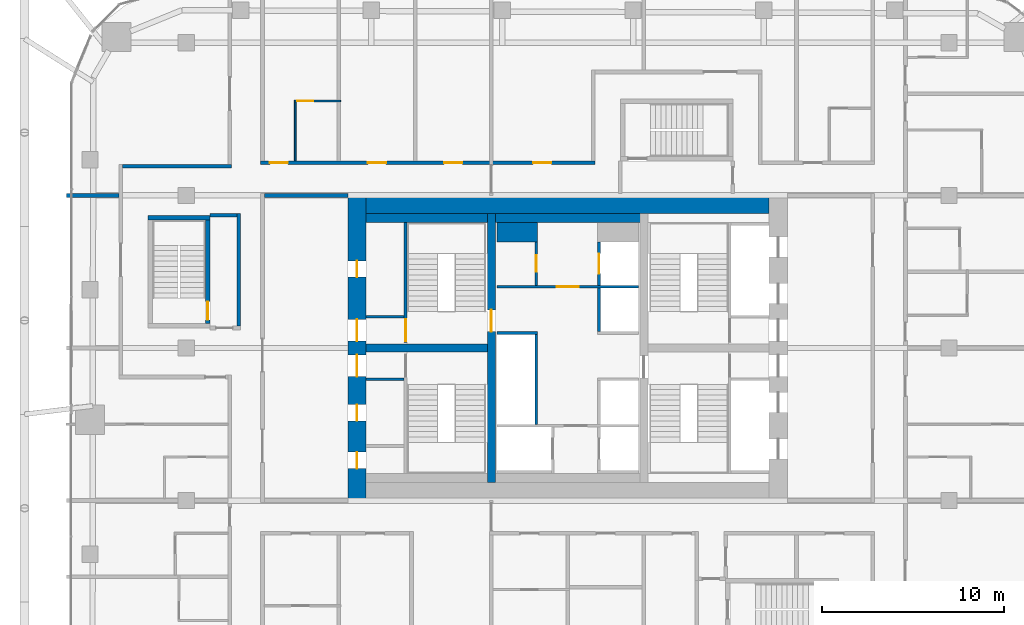
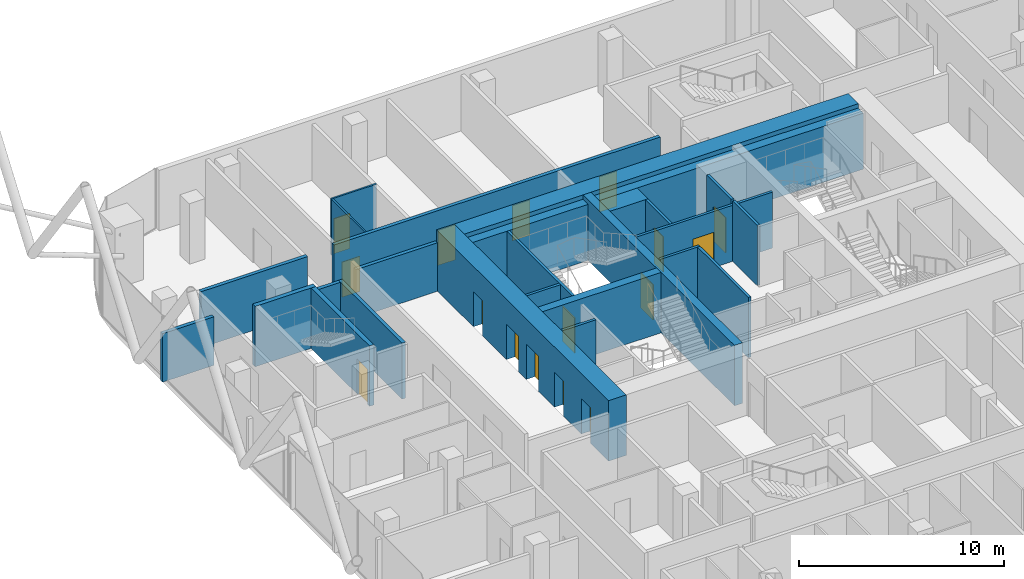
# One storey, part 31 of 36: 25 walls, 16 doors, 16 openings.
"""IFC4 building model written with IfcOpenShell, lengths in metres."""

from ifc_helpers import new_model, si_unit, direction, frame, frame_2d, origin, place, context, subcontext, project, spatial, rectangle, extrude, material, layer, layer_set, type_object, element, fill, save


model = new_model("IFC4")

# Units and contexts
model_context = context("Model", 3, precision=1e-05, world=origin(), true_north=direction((0.0, 1.0)))
body_context = subcontext(model_context, "Body", "Model", "MODEL_VIEW")
ifc_project = project(units=[si_unit("LENGTHUNIT", "METRE"), si_unit("AREAUNIT", "SQUARE_METRE"), si_unit("VOLUMEUNIT", "CUBIC_METRE"), si_unit("PLANEANGLEUNIT", "RADIAN"), si_unit("MASSUNIT", "GRAM", prefix="KILO")], contexts=[model_context])

# Site, building, storey
site_placement = place(None, origin())
site = spatial("IfcSite", under=ifc_project, at=site_placement, CompositionType="ELEMENT")
building_placement = place(site_placement, origin())
building = spatial("IfcBuilding", under=site, at=building_placement, Name="Marenta Gate Hotel Tower", CompositionType="ELEMENT")
storey_placement = place(building_placement, frame((0.0, 0.0, 158.89990234375)))
storey = spatial("IfcBuildingStorey", under=building, at=storey_placement, Name="L37", CompositionType="ELEMENT", Elevation=158.89990234375)

# Walls
ifc_material_1 = material(Name="Concrete blockwork", Category="masonry")
ifc_layer_1 = layer(ifc_material_1, 0.199951171875)
ifc_layer_set_1 = layer_set([ifc_layer_1], Name="Concrete blockwork")
wall_type_1 = type_object("IfcWallType", Name="Core boundary wall 200 REI 180", PredefinedType="PARTITIONING", material=ifc_layer_set_1)
wall_1_placement = place(storey_placement, frame((-16.699951171875, 16.800048828125, 0.0), z_axis=(0.0, 0.0, 1.0), x_axis=(1.0, 0.0, 0.0)))
element("IfcWall", 1, at=wall_1_placement, inside=storey, type_object=wall_type_1, Name="L37-CP-EW-WN", PredefinedType="PARTITIONING", context=body_context, shape_type="SweptSolid", body=[
    extrude(rectangle(XDim=4.599853515625, YDim=0.199951171875, at=frame_2d((2.2998046875, 0.0))), origin(), (0.0, 0.0, 1.0), 2.89013671875),
])
ifc_material_2 = material(Name="Concrete C40", Category="concrete")
ifc_layer_2 = layer(ifc_material_2, 0.5)
ifc_layer_set_2 = layer_set([ifc_layer_2], Name="Concrete C40")
wall_type_2 = type_object("IfcWallType", Name="Core lining wall 500 REI 180", PredefinedType="PARTITIONING", material=ifc_layer_set_2)
wall_2_placement = place(storey_placement, frame((-11.10009765625, 15.550048828125, 0.0), z_axis=(0.0, 0.0, 1.0), x_axis=(1.0, 0.0, 0.0)))
element("IfcWall", 2, at=wall_2_placement, inside=storey, type_object=wall_type_2, Name="L37-CP-LN-N", PredefinedType="PARTITIONING", context=body_context, shape_type="SweptSolid", body=[
    extrude(rectangle(XDim=22.2001953125, YDim=0.5, at=frame_2d((11.10009765625, 0.0))), origin(), (0.0, 0.0, 1.0), 3.340087890625),
])

# Wall, opening, door
ifc_material_3 = material(Name="Concrete blockwork", Category="masonry")
ifc_layer_3 = layer(ifc_material_3, 0.14990234375)
ifc_layer_set_3 = layer_set([ifc_layer_3], Name="Concrete blockwork")
wall_type_3 = type_object("IfcWallType", Name="Core lobby partition 150 REI 180", PredefinedType="PARTITIONING", material=ifc_layer_set_3)
wall_3_placement = place(storey_placement, frame((-3.89990234375, 11.77490234375, 0.0), z_axis=(0.0, 0.0, 1.0), x_axis=(1.0, 0.0, 0.0)))
wall_3 = element("IfcWall", 3, at=wall_3_placement, inside=storey, type_object=wall_type_3, Name="L37-CP-CW-N", PredefinedType="PARTITIONING", context=body_context, shape_type="SweptSolid", body=[
    extrude(rectangle(XDim=7.7998046875, YDim=0.14990234375, at=frame_2d((3.89990234375, 0.0))), origin(), (0.0, 0.0, 1.0), 3.340087890625),
])
opening_1_placement = place(wall_3_placement, frame((3.300048828125, 0.0, 0.0)))
opening_1 = element("IfcOpeningElement", 4, at=opening_1_placement, cuts=wall_3, Name="Opening FD-FFN", PredefinedType="OPENING", context=body_context, shape_type="SweptSolid", body=[
    extrude(rectangle(XDim=1.199951171875, YDim=2.10009765625, at=frame_2d((0.60009765625, 1.050048828125))), frame((0.0, 0.074951171875, 0.0), z_axis=(0.0, -1.0, 0.0), x_axis=(1.0, 0.0, 0.0)), (0.0, 0.0, 1.0), 0.14990234375),
])
ifc_material_4 = material(Name="Steel", Category="steel")
door_type_1 = type_object("IfcDoorType", Name="Core lobby door 1200x2100 FD60", OperationType="SINGLE_SWING_LEFT", PredefinedType="DOOR", material=ifc_material_4)
door_1_placement = place(opening_1_placement, origin())
door_1 = element("IfcDoor", 5, at=door_1_placement, inside=storey, type_object=door_type_1, Name="FD-FFN", OperationType="SINGLE_SWING_LEFT", OverallHeight=2.10009765625, OverallWidth=1.199951171875, PredefinedType="DOOR", context=body_context, shape_type="SweptSolid", body=[
    extrude(rectangle(XDim=1.199951171875, YDim=2.10009765625, at=frame_2d((0.60009765625, 1.050048828125))), frame((0.0, 0.02490234375, 0.0), z_axis=(0.0, -1.0, 0.0), x_axis=(1.0, 0.0, 0.0)), (0.0, 0.0, 1.0), 0.050048828125),
])
fill(opening_1, door_1)

# Walls
ifc_material_5 = material(Name="Concrete blockwork", Category="masonry")
ifc_layer_4 = layer(ifc_material_5, 1.050048828125)
ifc_layer_set_4 = layer_set([ifc_layer_4], Name="Concrete blockwork")
wall_type_4 = type_object("IfcWallType", Name="Core room partition 1050 REI 180", PredefinedType="PARTITIONING", material=ifc_layer_set_4)
wall_4_placement = place(storey_placement, frame((-3.89990234375, 14.77490234375, 0.0), z_axis=(0.0, 0.0, 1.0), x_axis=(1.0, 0.0, 0.0)))
element("IfcWall", 6, at=wall_4_placement, inside=storey, type_object=wall_type_4, Name="L37-CP-CW-W-riser-N", PredefinedType="PARTITIONING", context=body_context, shape_type="SweptSolid", body=[
    extrude(rectangle(XDim=2.25, YDim=1.050048828125, at=frame_2d((1.125, 0.0))), origin(), (0.0, 0.0, 1.0), 3.340087890625),
])
ifc_material_6 = material(Name="Concrete blockwork", Category="masonry")
ifc_layer_5 = layer(ifc_material_6, 0.14990234375)
ifc_layer_set_5 = layer_set([ifc_layer_5], Name="Concrete blockwork")
wall_type_5 = type_object("IfcWallType", Name="Core room partition 150 REI 180", PredefinedType="PARTITIONING", material=ifc_layer_set_5)
for number, where, z_axis, x_axis, name in (
    (7, (-11.10009765625, 6.675048828125, 0.0), (0.0, 0.0, 1.0), (1.0, 0.0, 0.0), "L37-CP-SW-WS-2"),
    (8, (-11.10009765625, 10.125, 0.0), (0.0, 0.0, 1.0), (1.0, 0.0, 0.0), "L37-CP-SW-WN-2"),
):
    element("IfcWall", number, at=place(storey_placement, frame(where, z_axis=z_axis, x_axis=x_axis)), inside=storey, type_object=wall_type_5, Name=name, PredefinedType="PARTITIONING", context=body_context, shape_type="SweptSolid", body=[
        extrude(rectangle(XDim=2.10009765625, YDim=0.14990234375, at=frame_2d((1.050048828125, 0.0))), origin(), (0.0, 0.0, 1.0), 3.340087890625),
    ])

# Wall, opening, door
wall_5_placement = place(storey_placement, frame((-1.72509765625, 11.85009765625, 0.0), z_axis=(0.0, 0.0, 1.0), x_axis=(0.0, 1.0, 0.0)))
wall_5 = element("IfcWall", 9, at=wall_5_placement, inside=storey, type_object=wall_type_5, Name="L37-CP-CW-W-riser-front", PredefinedType="PARTITIONING", context=body_context, shape_type="SweptSolid", body=[
    extrude(rectangle(XDim=2.39990234375, YDim=0.14990234375, at=frame_2d((1.199951171875, 0.0))), origin(), (0.0, 0.0, 1.0), 3.340087890625),
])
opening_2_placement = place(wall_5_placement, frame((0.75, 0.0, 0.0)))
opening_2 = element("IfcOpeningElement", 10, at=opening_2_placement, cuts=wall_5, Name="Opening RD-CRISER", PredefinedType="OPENING", context=body_context, shape_type="SweptSolid", body=[
    extrude(rectangle(XDim=0.89990234375, YDim=2.10009765625, at=frame_2d((0.449951171875, 1.050048828125))), frame((0.0, 0.074951171875, 0.0), z_axis=(0.0, -1.0, 0.0), x_axis=(1.0, 0.0, 0.0)), (0.0, 0.0, 1.0), 0.14990234375),
])
ifc_material_7 = material(Name="Steel", Category="steel")
door_type_2 = type_object("IfcDoorType", Name="Core riser door 900x2100 FD60", OperationType="SINGLE_SWING_LEFT", PredefinedType="DOOR", material=ifc_material_7)
door_2_placement = place(opening_2_placement, origin())
door_2 = element("IfcDoor", 11, at=door_2_placement, inside=storey, type_object=door_type_2, Name="RD-CRISER", OperationType="SINGLE_SWING_LEFT", OverallHeight=2.10009765625, OverallWidth=0.89990234375, PredefinedType="DOOR", context=body_context, shape_type="SweptSolid", body=[
    extrude(rectangle(XDim=0.89990234375, YDim=2.10009765625, at=frame_2d((0.449951171875, 1.050048828125))), frame((0.0, 0.02490234375, 0.0), z_axis=(0.0, -1.0, 0.0), x_axis=(1.0, 0.0, 0.0)), (0.0, 0.0, 1.0), 0.050048828125),
])
fill(opening_2, door_2)

# Walls
ifc_material_8 = material(Name="Concrete C40", Category="concrete")
ifc_layer_6 = layer(ifc_material_8, 0.14990234375)
ifc_layer_set_6 = layer_set([ifc_layer_6], Name="Concrete C40")
wall_type_6 = type_object("IfcWallType", Name="Core shaft wall 150 REI 180", PredefinedType="SHEAR", material=ifc_layer_set_6)
wall_6_placement = place(storey_placement, frame((-1.72509765625, 4.199951171875, 0.0), z_axis=(0.0, 0.0, 1.0), x_axis=(0.0, 1.0, 0.0)))
element("IfcWall", 12, at=wall_6_placement, inside=storey, type_object=wall_type_6, Name="L37-SHF-CW-W-front", PredefinedType="SHEAR", context=body_context, shape_type="SweptSolid", body=[
    extrude(rectangle(XDim=4.949951171875, YDim=0.14990234375, at=frame_2d((2.47509765625, 0.0))), origin(), (0.0, 0.0, 1.0), 3.60009765625),
])
wall_7_placement = place(storey_placement, frame((-3.89990234375, 9.22509765625, 0.0), z_axis=(0.0, 0.0, 1.0), x_axis=(1.0, 0.0, 0.0)))
element("IfcWall", 13, at=wall_7_placement, inside=storey, type_object=wall_type_6, Name="L37-SHF-CW-W-sep", PredefinedType="SHEAR", context=body_context, shape_type="SweptSolid", body=[
    extrude(rectangle(XDim=2.25, YDim=0.14990234375, at=frame_2d((1.125, 0.0))), origin(), (0.0, 0.0, 1.0), 3.60009765625),
])

# Wall, opening, door
wall_8_placement = place(storey_placement, frame((1.72509765625, 11.85009765625, 0.0), z_axis=(0.0, 0.0, 1.0), x_axis=(0.0, 1.0, 0.0)))
wall_8 = element("IfcWall", 14, at=wall_8_placement, inside=storey, type_object=wall_type_6, Name="L37-SHF-CE-N-front2", PredefinedType="SHEAR", context=body_context, shape_type="SweptSolid", body=[
    extrude(rectangle(XDim=2.39990234375, YDim=0.14990234375, at=frame_2d((1.199951171875, 0.0))), origin(), (0.0, 0.0, 1.0), 3.60009765625),
])
opening_3_placement = place(wall_8_placement, frame((0.64990234375, 0.0, 0.0)))
opening_3 = element("IfcOpeningElement", 15, at=opening_3_placement, cuts=wall_8, Name="Opening LD-FF2", PredefinedType="OPENING", context=body_context, shape_type="SweptSolid", body=[
    extrude(rectangle(XDim=1.10009765625, YDim=2.10009765625, at=frame_2d((0.550048828125, 1.050048828125))), frame((0.0, 0.074951171875, 0.0), z_axis=(0.0, -1.0, 0.0), x_axis=(1.0, 0.0, 0.0)), (0.0, 0.0, 1.0), 0.14990234375),
])
ifc_material_9 = material(Name="Steel", Category="steel")
door_type_3 = type_object("IfcDoorType", Name="Core lift landing door 1100x2100 E 60", OperationType="SLIDING_TO_LEFT", PredefinedType="DOOR", material=ifc_material_9)
door_3_placement = place(opening_3_placement, origin())
door_3 = element("IfcDoor", 16, at=door_3_placement, inside=storey, type_object=door_type_3, Name="LD-FF2", OperationType="SLIDING_TO_LEFT", OverallHeight=2.10009765625, OverallWidth=1.10009765625, PredefinedType="DOOR", context=body_context, shape_type="SweptSolid", body=[
    extrude(rectangle(XDim=1.10009765625, YDim=2.10009765625, at=frame_2d((0.550048828125, 1.050048828125))), frame((0.0, 0.02490234375, 0.0), z_axis=(0.0, -1.0, 0.0), x_axis=(1.0, 0.0, 0.0)), (0.0, 0.0, 1.0), 0.050048828125),
])
fill(opening_3, door_3)

# Wall
wall_9_placement = place(storey_placement, frame((1.72509765625, 9.300048828125, 0.0), z_axis=(0.0, 0.0, 1.0), x_axis=(0.0, 1.0, 0.0)))
element("IfcWall", 17, at=wall_9_placement, inside=storey, type_object=wall_type_6, Name="L37-SHF-CE-front-2", PredefinedType="SHEAR", context=body_context, shape_type="SweptSolid", body=[
    extrude(rectangle(XDim=2.39990234375, YDim=0.14990234375, at=frame_2d((1.199951171875, 0.0))), origin(), (0.0, 0.0, 1.0), 3.60009765625),
])

# Wall, opening, door
ifc_material_10 = material(Name="Concrete C40", Category="concrete")
ifc_layer_7 = layer(ifc_material_10, 0.14990234375)
ifc_layer_set_7 = layer_set([ifc_layer_7], Name="Concrete C40")
wall_type_7 = type_object("IfcWallType", Name="Core stair enclosure wall 150 REI 180", PredefinedType="SHEAR", material=ifc_layer_set_7)
wall_10_placement = place(storey_placement, frame((-8.925048828125, 8.699951171875, 0.0), z_axis=(0.0, 0.0, 1.0), x_axis=(0.0, 1.0, 0.0)))
wall_10 = element("IfcWall", 18, at=wall_10_placement, inside=storey, type_object=wall_type_7, Name="L37-SHF-SW-WN-3", PredefinedType="SHEAR", context=body_context, shape_type="SweptSolid", body=[
    extrude(rectangle(XDim=6.60009765625, YDim=0.14990234375, at=frame_2d((3.300048828125, 0.0))), origin(), (0.0, 0.0, 1.0), 3.340087890625),
])
opening_4_placement = place(wall_10_placement, frame((0.074951171875, 0.0, 0.0)))
opening_4 = element("IfcOpeningElement", 19, at=opening_4_placement, cuts=wall_10, Name="Opening SD-WN", PredefinedType="OPENING", context=body_context, shape_type="SweptSolid", body=[
    extrude(rectangle(XDim=1.199951171875, YDim=2.10009765625, at=frame_2d((0.60009765625, 1.050048828125))), frame((0.0, 0.074951171875, 0.0), z_axis=(0.0, -1.0, 0.0), x_axis=(1.0, 0.0, 0.0)), (0.0, 0.0, 1.0), 0.14990234375),
])
ifc_material_11 = material(Name="Steel", Category="steel")
door_type_4 = type_object("IfcDoorType", Name="Core stair door 1200x2100 FD60", OperationType="SINGLE_SWING_LEFT", PredefinedType="DOOR", material=ifc_material_11)
door_4_placement = place(opening_4_placement, origin())
door_4 = element("IfcDoor", 20, at=door_4_placement, inside=storey, type_object=door_type_4, Name="SD-WN", OperationType="SINGLE_SWING_LEFT", OverallHeight=2.10009765625, OverallWidth=1.199951171875, PredefinedType="DOOR", context=body_context, shape_type="SweptSolid", body=[
    extrude(rectangle(XDim=1.199951171875, YDim=2.10009765625, at=frame_2d((0.60009765625, 1.050048828125))), frame((0.0, 0.02490234375, 0.0), z_axis=(0.0, -1.0, 0.0), x_axis=(1.0, 0.0, 0.0)), (0.0, 0.0, 1.0), 0.050048828125),
])
fill(opening_4, door_4)

# Wall, openings, doors
ifc_material_12 = material(Name="Concrete C70", Category="concrete")
ifc_layer_8 = layer(ifc_material_12, 1.0)
ifc_layer_set_8 = layer_set([ifc_layer_8], Name="Concrete C70")
wall_type_8 = type_object("IfcWallType", Name="Core wall 1000 C70", PredefinedType="SHEAR", material=ifc_layer_set_8)
wall_11_placement = place(storey_placement, frame((-11.60009765625, 0.0, 0.0), z_axis=(0.0, 0.0, 1.0), x_axis=(0.0, 1.0, 0.0)))
wall_11 = element("IfcWall", 21, at=wall_11_placement, inside=storey, type_object=wall_type_8, Name="L37-CORE-W", PredefinedType="SHEAR", context=body_context, shape_type="SweptSolid", body=[
    extrude(rectangle(XDim=16.800048828125, YDim=1.0, at=frame_2d((8.39990234375, 0.0))), origin(), (0.0, 0.0, 1.0), 3.60009765625),
])
opening_5_placement = place(wall_11_placement, frame((1.762451171875, 0.0, 0.0)))
opening_5 = element("IfcOpeningElement", 22, at=opening_5_placement, cuts=wall_11, Name="Opening RD-WS-1", PredefinedType="OPENING", context=body_context, shape_type="SweptSolid", body=[
    extrude(rectangle(XDim=0.89990234375, YDim=2.10009765625, at=frame_2d((0.449951171875, 1.050048828125))), frame((0.0, 0.5, 0.0), z_axis=(0.0, -1.0, 0.0), x_axis=(1.0, 0.0, 0.0)), (0.0, 0.0, 1.0), 1.0),
])
opening_6_placement = place(wall_11_placement, frame((4.387451171875, 0.0, 0.0)))
opening_6 = element("IfcOpeningElement", 23, at=opening_6_placement, cuts=wall_11, Name="Opening RD-WS-2", PredefinedType="OPENING", context=body_context, shape_type="SweptSolid", body=[
    extrude(rectangle(XDim=0.89990234375, YDim=2.10009765625, at=frame_2d((0.449951171875, 1.050048828125))), frame((0.0, 0.5, 0.0), z_axis=(0.0, -1.0, 0.0), x_axis=(1.0, 0.0, 0.0)), (0.0, 0.0, 1.0), 1.0),
])
opening_7_placement = place(wall_11_placement, frame((6.824951171875, 0.0, 0.0)))
opening_7 = element("IfcOpeningElement", 24, at=opening_7_placement, cuts=wall_11, Name="Opening PD-WS", PredefinedType="OPENING", context=body_context, shape_type="SweptSolid", body=[
    extrude(rectangle(XDim=1.199951171875, YDim=2.10009765625, at=frame_2d((0.60009765625, 1.050048828125))), frame((0.0, 0.5, 0.0), z_axis=(0.0, -1.0, 0.0), x_axis=(1.0, 0.0, 0.0)), (0.0, 0.0, 1.0), 1.0),
])
opening_8_placement = place(wall_11_placement, frame((12.300048828125, 0.0, 0.0)))
opening_8 = element("IfcOpeningElement", 25, at=opening_8_placement, cuts=wall_11, Name="Opening RD-WN-1", PredefinedType="OPENING", context=body_context, shape_type="SweptSolid", body=[
    extrude(rectangle(XDim=0.89990234375, YDim=2.10009765625, at=frame_2d((0.449951171875, 1.050048828125))), frame((0.0, 0.5, 0.0), z_axis=(0.0, -1.0, 0.0), x_axis=(1.0, 0.0, 0.0)), (0.0, 0.0, 1.0), 1.0),
])
opening_9_placement = place(wall_11_placement, frame((8.77490234375, 0.0, 0.0)))
opening_9 = element("IfcOpeningElement", 26, at=opening_9_placement, cuts=wall_11, Name="Opening PD-WN", PredefinedType="OPENING", context=body_context, shape_type="SweptSolid", body=[
    extrude(rectangle(XDim=1.199951171875, YDim=2.10009765625, at=frame_2d((0.60009765625, 1.050048828125))), frame((0.0, 0.5, 0.0), z_axis=(0.0, -1.0, 0.0), x_axis=(1.0, 0.0, 0.0)), (0.0, 0.0, 1.0), 1.0),
])
door_5_placement = place(opening_7_placement, origin())
door_5 = element("IfcDoor", 27, at=door_5_placement, inside=storey, type_object=door_type_1, Name="PD-WS", OperationType="SINGLE_SWING_LEFT", OverallHeight=2.10009765625, OverallWidth=1.199951171875, PredefinedType="DOOR", context=body_context, shape_type="SweptSolid", body=[
    extrude(rectangle(XDim=1.199951171875, YDim=2.10009765625, at=frame_2d((0.60009765625, 1.050048828125))), frame((0.0, 0.02490234375, 0.0), z_axis=(0.0, -1.0, 0.0), x_axis=(1.0, 0.0, 0.0)), (0.0, 0.0, 1.0), 0.050048828125),
])
fill(opening_7, door_5)
door_6_placement = place(opening_9_placement, origin())
door_6 = element("IfcDoor", 28, at=door_6_placement, inside=storey, type_object=door_type_1, Name="PD-WN", OperationType="SINGLE_SWING_LEFT", OverallHeight=2.10009765625, OverallWidth=1.199951171875, PredefinedType="DOOR", context=body_context, shape_type="SweptSolid", body=[
    extrude(rectangle(XDim=1.199951171875, YDim=2.10009765625, at=frame_2d((0.60009765625, 1.050048828125))), frame((0.0, 0.02490234375, 0.0), z_axis=(0.0, -1.0, 0.0), x_axis=(1.0, 0.0, 0.0)), (0.0, 0.0, 1.0), 0.050048828125),
])
fill(opening_9, door_6)
ifc_material_13 = material(Name="Steel", Category="steel")
door_type_5 = type_object("IfcDoorType", Name="Core service room door 900x2100 FD30S", OperationType="SINGLE_SWING_LEFT", PredefinedType="DOOR", material=ifc_material_13)
door_7_placement = place(opening_5_placement, origin())
door_7 = element("IfcDoor", 29, at=door_7_placement, inside=storey, type_object=door_type_5, Name="RD-WS-1", OperationType="SINGLE_SWING_LEFT", OverallHeight=2.10009765625, OverallWidth=0.89990234375, PredefinedType="DOOR", context=body_context, shape_type="SweptSolid", body=[
    extrude(rectangle(XDim=0.89990234375, YDim=2.10009765625, at=frame_2d((0.449951171875, 1.050048828125))), frame((0.0, 0.02490234375, 0.0), z_axis=(0.0, -1.0, 0.0), x_axis=(1.0, 0.0, 0.0)), (0.0, 0.0, 1.0), 0.050048828125),
])
fill(opening_5, door_7)
door_8_placement = place(opening_6_placement, origin())
door_8 = element("IfcDoor", 30, at=door_8_placement, inside=storey, type_object=door_type_5, Name="RD-WS-2", OperationType="SINGLE_SWING_LEFT", OverallHeight=2.10009765625, OverallWidth=0.89990234375, PredefinedType="DOOR", context=body_context, shape_type="SweptSolid", body=[
    extrude(rectangle(XDim=0.89990234375, YDim=2.10009765625, at=frame_2d((0.449951171875, 1.050048828125))), frame((0.0, 0.02490234375, 0.0), z_axis=(0.0, -1.0, 0.0), x_axis=(1.0, 0.0, 0.0)), (0.0, 0.0, 1.0), 0.050048828125),
])
fill(opening_6, door_8)
door_9_placement = place(opening_8_placement, origin())
door_9 = element("IfcDoor", 31, at=door_9_placement, inside=storey, type_object=door_type_5, Name="RD-WN-1", OperationType="SINGLE_SWING_LEFT", OverallHeight=2.10009765625, OverallWidth=0.89990234375, PredefinedType="DOOR", context=body_context, shape_type="SweptSolid", body=[
    extrude(rectangle(XDim=0.89990234375, YDim=2.10009765625, at=frame_2d((0.449951171875, 1.050048828125))), frame((0.0, 0.02490234375, 0.0), z_axis=(0.0, -1.0, 0.0), x_axis=(1.0, 0.0, 0.0)), (0.0, 0.0, 1.0), 0.050048828125),
])
fill(opening_8, door_9)

# Wall
wall_12_placement = place(storey_placement, frame((-11.10009765625, 16.300048828125, 0.0), z_axis=(0.0, 0.0, 1.0), x_axis=(1.0, 0.0, 0.0)))
element("IfcWall", 32, at=wall_12_placement, inside=storey, type_object=wall_type_8, Name="L37-CORE-N", PredefinedType="SHEAR", context=body_context, shape_type="SweptSolid", body=[
    extrude(rectangle(XDim=22.2001953125, YDim=1.0, at=frame_2d((11.10009765625, 0.0))), origin(), (0.0, 0.0, 1.0), 3.60009765625),
])

# Wall, opening, door
ifc_material_14 = material(Name="Concrete C70", Category="concrete")
ifc_layer_9 = layer(ifc_material_14, 0.449951171875)
ifc_layer_set_9 = layer_set([ifc_layer_9], Name="Concrete C70")
wall_type_9 = type_object("IfcWallType", Name="Core web 450 C70", PredefinedType="SHEAR", material=ifc_layer_set_9)
wall_13_placement = place(storey_placement, frame((-4.199951171875, 1.0, 0.0), z_axis=(0.0, 0.0, 1.0), x_axis=(0.0, 1.0, 0.0)))
wall_13 = element("IfcWall", 33, at=wall_13_placement, inside=storey, type_object=wall_type_9, Name="L37-CORE-W1", PredefinedType="SHEAR", context=body_context, shape_type="SweptSolid", body=[
    extrude(rectangle(XDim=14.800048828125, YDim=0.449951171875, at=frame_2d((7.39990234375, 0.0))), origin(), (0.0, 0.0, 1.0), 3.60009765625),
])
opening_10_placement = place(wall_13_placement, frame((8.300048828125, 0.0, 0.0)))
opening_10 = element("IfcOpeningElement", 34, at=opening_10_placement, cuts=wall_13, Name="Opening WD-W", PredefinedType="OPENING", context=body_context, shape_type="SweptSolid", body=[
    extrude(rectangle(XDim=1.199951171875, YDim=2.10009765625, at=frame_2d((0.60009765625, 1.050048828125))), frame((0.0, 0.22509765625, 0.0), z_axis=(0.0, -1.0, 0.0), x_axis=(1.0, 0.0, 0.0)), (0.0, 0.0, 1.0), 0.449951171875),
])
door_10_placement = place(opening_10_placement, origin())
door_10 = element("IfcDoor", 35, at=door_10_placement, inside=storey, type_object=door_type_4, Name="WD-W", OperationType="SINGLE_SWING_LEFT", OverallHeight=2.10009765625, OverallWidth=1.199951171875, PredefinedType="DOOR", context=body_context, shape_type="SweptSolid", body=[
    extrude(rectangle(XDim=1.199951171875, YDim=2.10009765625, at=frame_2d((0.60009765625, 1.050048828125))), frame((0.0, 0.02490234375, 0.0), z_axis=(0.0, -1.0, 0.0), x_axis=(1.0, 0.0, 0.0)), (0.0, 0.0, 1.0), 0.050048828125),
])
fill(opening_10, door_10)

# Walls
wall_14_placement = place(storey_placement, frame((-11.10009765625, 8.39990234375, 0.0), z_axis=(0.0, 0.0, 1.0), x_axis=(1.0, 0.0, 0.0)))
element("IfcWall", 36, at=wall_14_placement, inside=storey, type_object=wall_type_9, Name="L37-CORE-W3", PredefinedType="SHEAR", context=body_context, shape_type="SweptSolid", body=[
    extrude(rectangle(XDim=6.675048828125, YDim=0.449951171875, at=frame_2d((3.33740234375, 0.0))), origin(), (0.0, 0.0, 1.0), 3.60009765625),
])
ifc_material_15 = material(Name="Concrete C40", Category="concrete")
ifc_layer_10 = layer(ifc_material_15, 0.25)
ifc_layer_set_10 = layer_set([ifc_layer_10], Name="Concrete C40")
wall_type_10 = type_object("IfcWallType", Name="Remote stair enclosure wall 250 REI 180", PredefinedType="SHEAR", material=ifc_layer_set_10)
wall_15_placement = place(storey_placement, frame((-23.10009765625, 15.574951171875, 0.10009765625), z_axis=(0.0, 0.0, 1.0), x_axis=(1.0, 0.0, 0.0)))
element("IfcWall", 37, at=wall_15_placement, inside=storey, type_object=wall_type_10, Name="L37-RS-Z1-3-W2", PredefinedType="SHEAR", context=body_context, shape_type="SweptSolid", body=[
    extrude(rectangle(XDim=3.400146484375, YDim=0.25, at=frame_2d((1.7001953125, 0.0))), origin(), (0.0, 0.0, 1.0), 3.60009765625),
])

# Wall, opening, door
wall_16_placement = place(storey_placement, frame((-19.824951171875, 9.75, 0.10009765625), z_axis=(0.0, 0.0, 1.0), x_axis=(0.0, 1.0, 0.0)))
wall_16 = element("IfcWall", 38, at=wall_16_placement, inside=storey, type_object=wall_type_10, Name="L37-RS-Z1-3-W4", PredefinedType="SHEAR", context=body_context, shape_type="SweptSolid", body=[
    extrude(rectangle(XDim=5.699951171875, YDim=0.25, at=frame_2d((2.85009765625, 0.0))), origin(), (0.0, 0.0, 1.0), 3.60009765625),
])
opening_11_placement = place(wall_16_placement, frame((0.199951171875, 0.0, 0.0)))
opening_11 = element("IfcOpeningElement", 39, at=opening_11_placement, cuts=wall_16, Name="Opening VD", PredefinedType="OPENING", context=body_context, shape_type="SweptSolid", body=[
    extrude(rectangle(XDim=1.0, YDim=2.10009765625, at=frame_2d((0.5, 1.050048828125))), frame((0.0, 0.125, 0.0), z_axis=(0.0, -1.0, 0.0), x_axis=(1.0, 0.0, 0.0)), (0.0, 0.0, 1.0), 0.25),
])
ifc_material_16 = material(Name="Steel", Category="steel")
door_type_6 = type_object("IfcDoorType", Name="Stair vestibule door 1000x2100 FD60", OperationType="SINGLE_SWING_LEFT", PredefinedType="DOOR", material=ifc_material_16)
door_11_placement = place(opening_11_placement, origin())
door_11 = element("IfcDoor", 40, at=door_11_placement, inside=storey, type_object=door_type_6, Name="VD", OperationType="SINGLE_SWING_LEFT", OverallHeight=2.10009765625, OverallWidth=1.0, PredefinedType="DOOR", context=body_context, shape_type="SweptSolid", body=[
    extrude(rectangle(XDim=1.0, YDim=2.10009765625, at=frame_2d((0.5, 1.050048828125))), frame((0.0, 0.02490234375, 0.0), z_axis=(0.0, -1.0, 0.0), x_axis=(1.0, 0.0, 0.0)), (0.0, 0.0, 1.0), 0.050048828125),
])
fill(opening_11, door_11)

# Wall
ifc_material_17 = material(Name="Gypsum board on steel stud", Category="steel")
ifc_layer_11 = layer(ifc_material_17, 0.199951171875)
ifc_layer_set_11 = layer_set([ifc_layer_11], Name="Gypsum board on steel stud")
wall_type_11 = type_object("IfcWallType", Name="Room corridor wall 200 EI 60", PredefinedType="PARTITIONING", material=ifc_layer_set_11)
wall_17_placement = place(storey_placement, frame((-24.5, 18.39990234375, 0.0), z_axis=(0.0, 0.0, 1.0), x_axis=(1.0, 0.0, 0.0)))
element("IfcWall", 41, at=wall_17_placement, inside=storey, type_object=wall_type_11, Name="L37-PTN-W102", PredefinedType="PARTITIONING", context=body_context, shape_type="SweptSolid", body=[
    extrude(rectangle(XDim=6.0, YDim=0.199951171875, at=frame_2d((3.0, 0.0))), origin(), (0.0, 0.0, 1.0), 3.340087890625),
])

# Wall, openings, doors
wall_18_placement = place(storey_placement, frame((-16.89990234375, 18.60009765625, 0.0), z_axis=(0.0, 0.0, 1.0), x_axis=(1.0, 0.0, 0.0)))
wall_18 = element("IfcWall", 42, at=wall_18_placement, inside=storey, type_object=wall_type_11, Name="L37-PTN-W105", PredefinedType="PARTITIONING", context=body_context, shape_type="SweptSolid", body=[
    extrude(rectangle(XDim=18.39990234375, YDim=0.199951171875, at=frame_2d((9.199951171875, 0.0))), origin(), (0.0, 0.0, 1.0), 3.340087890625),
])
opening_12_placement = place(wall_18_placement, frame((0.5, 0.0, 0.0)))
opening_12 = element("IfcOpeningElement", 43, at=opening_12_placement, cuts=wall_18, Name="Opening G14-25", PredefinedType="OPENING", context=body_context, shape_type="SweptSolid", body=[
    extrude(rectangle(XDim=1.0, YDim=2.10009765625, at=frame_2d((0.5, 1.050048828125))), frame((0.0, 0.10009765625, 0.0), z_axis=(0.0, -1.0, 0.0), x_axis=(1.0, 0.0, 0.0)), (0.0, 0.0, 1.0), 0.199951171875),
])
opening_13_placement = place(wall_18_placement, frame((15.0, 0.0, 0.0)))
opening_13 = element("IfcOpeningElement", 44, at=opening_13_placement, cuts=wall_18, Name="Opening G14-59", PredefinedType="OPENING", context=body_context, shape_type="SweptSolid", body=[
    extrude(rectangle(XDim=1.0, YDim=2.10009765625, at=frame_2d((0.5, 1.050048828125))), frame((0.0, 0.10009765625, 0.0), z_axis=(0.0, -1.0, 0.0), x_axis=(1.0, 0.0, 0.0)), (0.0, 0.0, 1.0), 0.199951171875),
])
opening_14_placement = place(wall_18_placement, frame((5.89990234375, 0.0, 0.0)))
opening_14 = element("IfcOpeningElement", 45, at=opening_14_placement, cuts=wall_18, Name="Opening G14-62", PredefinedType="OPENING", context=body_context, shape_type="SweptSolid", body=[
    extrude(rectangle(XDim=1.0, YDim=2.10009765625, at=frame_2d((0.5, 1.050048828125))), frame((0.0, 0.10009765625, 0.0), z_axis=(0.0, -1.0, 0.0), x_axis=(1.0, 0.0, 0.0)), (0.0, 0.0, 1.0), 0.199951171875),
])
opening_15_placement = place(wall_18_placement, frame((10.10009765625, 0.0, 0.0)))
opening_15 = element("IfcOpeningElement", 46, at=opening_15_placement, cuts=wall_18, Name="Opening G14-63", PredefinedType="OPENING", context=body_context, shape_type="SweptSolid", body=[
    extrude(rectangle(XDim=1.0, YDim=2.10009765625, at=frame_2d((0.5, 1.050048828125))), frame((0.0, 0.10009765625, 0.0), z_axis=(0.0, -1.0, 0.0), x_axis=(1.0, 0.0, 0.0)), (0.0, 0.0, 1.0), 0.199951171875),
])
ifc_material_18 = material(Name="Timber door leaf", Category="wood")
door_type_7 = type_object("IfcDoorType", Name="Guest room door 1000x2100 EI 30", OperationType="NOTDEFINED", PredefinedType="DOOR", material=ifc_material_18)
door_12_placement = place(opening_12_placement, origin())
door_12 = element("IfcDoor", 47, at=door_12_placement, inside=storey, type_object=door_type_7, Name="L37-PD-D025", OperationType="SINGLE_SWING_RIGHT", OverallHeight=2.10009765625, OverallWidth=1.0, PredefinedType="DOOR", context=body_context, shape_type="SweptSolid", body=[
    extrude(rectangle(XDim=1.0, YDim=2.10009765625, at=frame_2d((0.5, 1.050048828125))), frame((0.0, 0.02490234375, 0.0), z_axis=(0.0, -1.0, 0.0), x_axis=(1.0, 0.0, 0.0)), (0.0, 0.0, 1.0), 0.050048828125),
])
fill(opening_12, door_12)
ifc_material_19 = material(Name="Timber door leaf", Category="wood")
door_type_8 = type_object("IfcDoorType", Name="Room amenity door 1000x2100 EI 30", OperationType="NOTDEFINED", PredefinedType="DOOR", material=ifc_material_19)
door_13_placement = place(opening_13_placement, origin())
door_13 = element("IfcDoor", 48, at=door_13_placement, inside=storey, type_object=door_type_8, Name="L37-PD-D059", OperationType="SINGLE_SWING_RIGHT", OverallHeight=2.10009765625, OverallWidth=1.0, PredefinedType="DOOR", context=body_context, shape_type="SweptSolid", body=[
    extrude(rectangle(XDim=1.0, YDim=2.10009765625, at=frame_2d((0.5, 1.050048828125))), frame((0.0, 0.02490234375, 0.0), z_axis=(0.0, -1.0, 0.0), x_axis=(1.0, 0.0, 0.0)), (0.0, 0.0, 1.0), 0.050048828125),
])
fill(opening_13, door_13)
door_14_placement = place(opening_14_placement, origin())
door_14 = element("IfcDoor", 49, at=door_14_placement, inside=storey, type_object=door_type_8, Name="L37-PD-D062", OperationType="SINGLE_SWING_LEFT", OverallHeight=2.10009765625, OverallWidth=1.0, PredefinedType="DOOR", context=body_context, shape_type="SweptSolid", body=[
    extrude(rectangle(XDim=1.0, YDim=2.10009765625, at=frame_2d((0.5, 1.050048828125))), frame((0.0, 0.02490234375, 0.0), z_axis=(0.0, -1.0, 0.0), x_axis=(1.0, 0.0, 0.0)), (0.0, 0.0, 1.0), 0.050048828125),
])
fill(opening_14, door_14)
door_15_placement = place(opening_15_placement, origin())
door_15 = element("IfcDoor", 50, at=door_15_placement, inside=storey, type_object=door_type_8, Name="L37-PD-D063", OperationType="SINGLE_SWING_RIGHT", OverallHeight=2.10009765625, OverallWidth=1.0, PredefinedType="DOOR", context=body_context, shape_type="SweptSolid", body=[
    extrude(rectangle(XDim=1.0, YDim=2.10009765625, at=frame_2d((0.5, 1.050048828125))), frame((0.0, 0.02490234375, 0.0), z_axis=(0.0, -1.0, 0.0), x_axis=(1.0, 0.0, 0.0)), (0.0, 0.0, 1.0), 0.050048828125),
])
fill(opening_15, door_15)

# Walls
ifc_material_20 = material(Name="Concrete blockwork", Category="masonry")
ifc_layer_12 = layer(ifc_material_20, 0.199951171875)
ifc_layer_set_12 = layer_set([ifc_layer_12], Name="Concrete blockwork")
wall_type_12 = type_object("IfcWallType", Name="Room corridor wall 200 REI 180", PredefinedType="PARTITIONING", material=ifc_layer_set_12)
wall_19_placement = place(storey_placement, frame((-19.699951171875, 15.699951171875, 0.0), z_axis=(0.0, 0.0, 1.0), x_axis=(1.0, 0.0, 0.0)))
element("IfcWall", 51, at=wall_19_placement, inside=storey, type_object=wall_type_12, Name="L37-PTN-W095", PredefinedType="PARTITIONING", context=body_context, shape_type="SweptSolid", body=[
    extrude(rectangle(XDim=1.5, YDim=0.199951171875, at=frame_2d((0.75, 0.0))), origin(), (0.0, 0.0, 1.0), 3.340087890625),
])
wall_20_placement = place(storey_placement, frame((-18.10009765625, 9.60009765625, 0.0), z_axis=(0.0, 0.0, 1.0), x_axis=(0.0, 1.0, 0.0)))
element("IfcWall", 52, at=wall_20_placement, inside=storey, type_object=wall_type_12, Name="L37-PTN-W101", PredefinedType="PARTITIONING", context=body_context, shape_type="SweptSolid", body=[
    extrude(rectangle(XDim=6.199951171875, YDim=0.199951171875, at=frame_2d((3.10009765625, 0.0))), origin(), (0.0, 0.0, 1.0), 3.340087890625),
])
ifc_material_21 = material(Name="Gypsum board on steel stud", Category="steel")
ifc_layer_13 = layer(ifc_material_21, 0.10009765625)
ifc_layer_set_13 = layer_set([ifc_layer_13], Name="Gypsum board on steel stud")
wall_type_13 = type_object("IfcWallType", Name="Room partition 100", PredefinedType="PARTITIONING", material=ifc_layer_set_13)
wall_21_placement = place(storey_placement, frame((-15.0, 18.699951171875, 0.0), z_axis=(0.0, 0.0, 1.0), x_axis=(0.0, 1.0, 0.0)))
element("IfcWall", 53, at=wall_21_placement, inside=storey, type_object=wall_type_13, Name="L37-PTN-W093", PredefinedType="PARTITIONING", context=body_context, shape_type="SweptSolid", body=[
    extrude(rectangle(XDim=3.25, YDim=0.10009765625, at=frame_2d((1.625, 0.0))), origin(), (0.0, 0.0, 1.0), 3.340087890625),
])

# Wall, opening, door
wall_22_placement = place(storey_placement, frame((-15.050048828125, 22.0, 0.0), z_axis=(0.0, 0.0, 1.0), x_axis=(1.0, 0.0, 0.0)))
wall_22 = element("IfcWall", 54, at=wall_22_placement, inside=storey, type_object=wall_type_13, Name="L37-PTN-W111", PredefinedType="PARTITIONING", context=body_context, shape_type="SweptSolid", body=[
    extrude(rectangle(XDim=2.550048828125, YDim=0.10009765625, at=frame_2d((1.27490234375, 0.0))), origin(), (0.0, 0.0, 1.0), 3.340087890625),
])
opening_16_placement = place(wall_22_placement, frame((0.14990234375, 0.0, 0.0)))
opening_16 = element("IfcOpeningElement", 55, at=opening_16_placement, cuts=wall_22, Name="Opening G14-26", PredefinedType="OPENING", context=body_context, shape_type="SweptSolid", body=[
    extrude(rectangle(XDim=0.89990234375, YDim=2.10009765625, at=frame_2d((0.449951171875, 1.050048828125))), frame((0.0, 0.050048828125, 0.0), z_axis=(0.0, -1.0, 0.0), x_axis=(1.0, 0.0, 0.0)), (0.0, 0.0, 1.0), 0.10009765625),
])
ifc_material_22 = material(Name="Timber door leaf", Category="wood")
door_type_9 = type_object("IfcDoorType", Name="Guest bathroom door 900x2100", OperationType="NOTDEFINED", PredefinedType="DOOR", material=ifc_material_22)
door_16_placement = place(opening_16_placement, origin())
door_16 = element("IfcDoor", 56, at=door_16_placement, inside=storey, type_object=door_type_9, Name="L37-PD-D026", OperationType="SINGLE_SWING_RIGHT", OverallHeight=2.10009765625, OverallWidth=0.89990234375, PredefinedType="DOOR", context=body_context, shape_type="SweptSolid", body=[
    extrude(rectangle(XDim=0.89990234375, YDim=2.10009765625, at=frame_2d((0.449951171875, 1.050048828125))), frame((0.0, 0.02490234375, 0.0), z_axis=(0.0, -1.0, 0.0), x_axis=(1.0, 0.0, 0.0)), (0.0, 0.0, 1.0), 0.050048828125),
])
fill(opening_16, door_16)

# Wall
ifc_material_23 = material(Name="Gypsum board on steel stud", Category="steel")
ifc_layer_14 = layer(ifc_material_23, 0.199951171875)
ifc_layer_set_14 = layer_set([ifc_layer_14], Name="Gypsum board on steel stud")
wall_type_14 = type_object("IfcWallType", Name="Room party wall 200 EI 60", PredefinedType="PARTITIONING", material=ifc_layer_set_14)
wall_23_placement = place(storey_placement, frame((-27.60009765625, 16.800048828125, 0.0), z_axis=(0.0, 0.0, 1.0), x_axis=(1.0, 0.0, 0.0)))
element("IfcWall", 57, at=wall_23_placement, inside=storey, type_object=wall_type_14, Name="L37-PTN-W099", PredefinedType="PARTITIONING", context=body_context, shape_type="SweptSolid", body=[
    extrude(rectangle(XDim=2.900146484375, YDim=0.199951171875, at=frame_2d((1.4501953125, 0.0))), origin(), (0.0, 0.0, 1.0), 2.89013671875),
])

save(model, "model.ifc")
